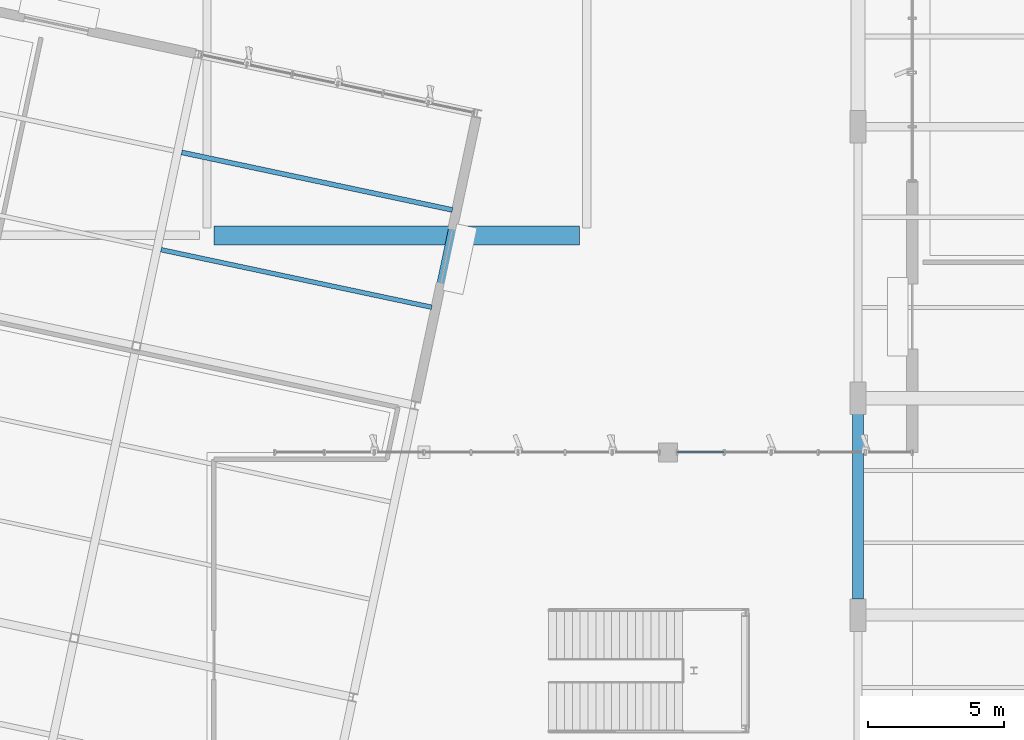
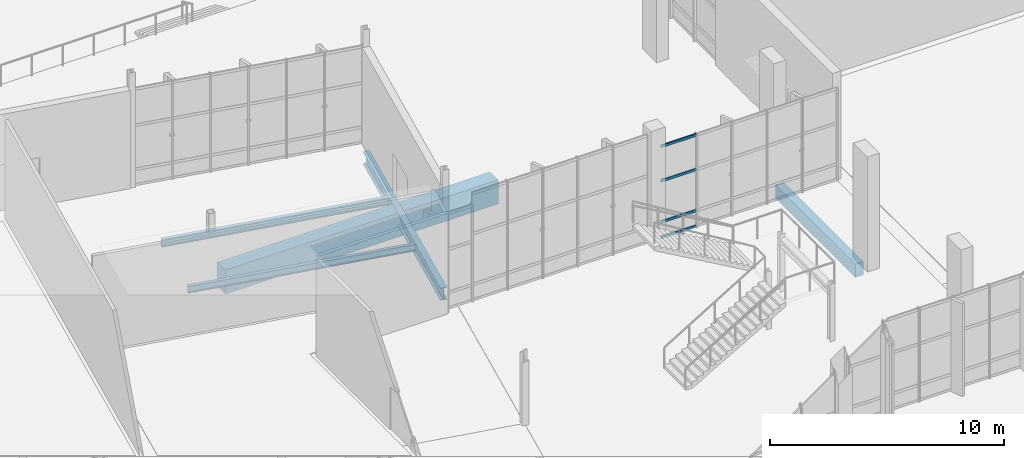
# One storey, part 52 of 163: 5 beams, 4 members, 1 element without a shape of its own.
"""IFC4 building model written with IfcOpenShell, lengths in metres."""

import ifcopenshell
import ifcopenshell.guid

model = None  # the IFC model being written
_history = None  # IfcOwnerHistory: only IFC2X3 demands one
_inside = {}  # id of a spatial element -> (the spatial element, [elements in it])
_under = {}  # id of a project, library or spatial element -> (it, [spatial elements below it])
_declared = {}  # id of a project -> (the project, [libraries it declares])
_typed = {}  # id of a type object -> (the type object, [elements of that type])
_made_of = {}  # id of a material, layer set ... -> (it, [elements and type objects made of it])


def new_model(schema):
    """Start an empty IFC model of exactly this schema.

    Asked for "IFC4X3", IfcOpenShell would pick the latest addendum, in which some entities
    have other attributes; the version numbers below select the first issue.
    IFC2X3 requires an IfcOwnerHistory on every rooted entity: one is made here for all.
    """
    global model, _history
    if schema == "IFC4X3":
        model = ifcopenshell.file(schema_version=(4, 3, 0, 0))
    else:
        model = ifcopenshell.file(schema=schema)
    _inside.clear()
    _under.clear()
    _declared.clear()
    _typed.clear()
    _made_of.clear()
    _history = None
    if model.schema == "IFC2X3":
        org = make("IfcOrganization", Name="unknown")
        user = make(
            "IfcPersonAndOrganization",
            ThePerson=make("IfcPerson", FamilyName="unknown"),
            TheOrganization=org,
        )
        app = make(
            "IfcApplication",
            ApplicationDeveloper=org,
            Version="unknown",
            ApplicationFullName="unknown",
            ApplicationIdentifier="unknown",
        )
        _history = make(
            "IfcOwnerHistory",
            OwningUser=user,
            OwningApplication=app,
            ChangeAction="ADDED",
            CreationDate=0,
        )
    return model


def make(cls, **values):
    """One entity of the class cls with the attributes given. An attribute that is None is left unset."""
    return model.create_entity(
        cls, **{name: value for name, value in values.items() if value is not None}
    )


def rooted(cls, **values):
    """An entity with a GlobalId (a new one), such as an element, a storey or a relation."""
    return make(cls, GlobalId=ifcopenshell.guid.new(), OwnerHistory=_history, **values)


def si_unit(unit_type, name, prefix=None):
    """IfcSIUnit, for example si_unit("LENGTHUNIT", "METRE", prefix="MILLI")."""
    return make("IfcSIUnit", UnitType=unit_type, Prefix=prefix, Name=name)


def assignment(units):
    """IfcUnitAssignment: the units of a project."""
    return None if units is None else make("IfcUnitAssignment", Units=units)


def point(xyz):
    """IfcCartesianPoint."""
    return None if xyz is None else make("IfcCartesianPoint", Coordinates=xyz)


def direction(xyz):
    """IfcDirection."""
    return None if xyz is None else make("IfcDirection", DirectionRatios=xyz)


def frame(location, z_axis=None, x_axis=None):
    """IfcAxis2Placement3D, a coordinate frame: its origin and axes. An axis left out is left unset."""
    return make(
        "IfcAxis2Placement3D",
        Location=point(location),
        Axis=direction(z_axis),
        RefDirection=direction(x_axis),
    )


def frame_2d(location, x_axis=None):
    """IfcAxis2Placement2D, a coordinate frame in the plane: its origin and x axis."""
    return make(
        "IfcAxis2Placement2D", Location=point(location), RefDirection=direction(x_axis)
    )


def origin():
    """The frame at (0, 0, 0) with its axes left unset."""
    return frame((0.0, 0.0, 0.0))


def origin_2d():
    """The frame at (0, 0) in the plane with its x axis left unset."""
    return frame_2d((0.0, 0.0))


def place(relative_to, where):
    """IfcLocalPlacement: puts the frame where relative to a parent placement (None: the world)."""
    return make(
        "IfcLocalPlacement", PlacementRelTo=relative_to, RelativePlacement=where
    )


def context(
    kind, dimensions, precision=None, world=None, true_north=None, identifier=None
):
    """IfcGeometricRepresentationContext, for example the 3D "Model" context."""
    return make(
        "IfcGeometricRepresentationContext",
        ContextIdentifier=identifier,
        ContextType=kind,
        CoordinateSpaceDimension=dimensions,
        Precision=precision,
        WorldCoordinateSystem=world,
        TrueNorth=true_north,
    )


def subcontext(parent, identifier, kind, view, scale=None):
    """IfcGeometricRepresentationSubContext, for example "Body" below "Model"."""
    return make(
        "IfcGeometricRepresentationSubContext",
        ContextIdentifier=identifier,
        ContextType=kind,
        ParentContext=parent,
        TargetScale=scale,
        TargetView=view,
    )


def project(units=None, contexts=None):
    """IfcProject with its units and contexts."""
    return rooted(
        "IfcProject",
        Name="project",
        RepresentationContexts=contexts,
        UnitsInContext=assignment(units),
    )


def spatial(cls, under=None, at=None, **own):
    """A site, building, storey or space (cls), placed at a placement, below another one or the project."""
    s = rooted(cls, ObjectPlacement=at, **own)
    if under is not None:
        _under.setdefault(under.id(), (under, []))[1].append(s)
    return s


def profile(cls, at=None, kind="AREA", **sizes):
    """A parametric profile (cls). Its sizes go by their IFC names, for example OverallWidth=200.0."""
    return make(cls, ProfileType=kind, Position=at, **sizes)


def rectangle(**sizes):
    """IfcRectangleProfileDef."""
    return profile("IfcRectangleProfileDef", **sizes)


def hollow_rectangle(**sizes):
    """IfcRectangleHollowProfileDef."""
    return profile("IfcRectangleHollowProfileDef", **sizes)


def i_section(**sizes):
    """IfcIShapeProfileDef."""
    return profile("IfcIShapeProfileDef", **sizes)


def extrude(swept, where, along, depth):
    """IfcExtrudedAreaSolid: the profile swept, set in the frame where, extruded along a direction by depth."""
    return make(
        "IfcExtrudedAreaSolid",
        SweptArea=swept,
        Position=where,
        ExtrudedDirection=direction(along),
        Depth=depth,
    )


def shape(context_of_items, identifier, shape_type, items):
    """IfcShapeRepresentation: the items that make up one representation, for example the "Body"."""
    return make(
        "IfcShapeRepresentation",
        ContextOfItems=context_of_items,
        RepresentationIdentifier=identifier,
        RepresentationType=shape_type,
        Items=items,
    )


def material(Name=None, Category=None):
    """IfcMaterial."""
    return make("IfcMaterial", Name=Name, Category=Category)


def layer(
    of_material, thickness, ventilated=None, Name=None, Category=None, Priority=None
):
    """IfcMaterialLayer: one layer of a wall or slab, of a material (None: an air gap)."""
    return make(
        "IfcMaterialLayer",
        Material=of_material,
        LayerThickness=thickness,
        IsVentilated=ventilated,
        Name=Name,
        Category=Category,
        Priority=Priority,
    )


def layer_set(layers, Name=None):
    """IfcMaterialLayerSet."""
    return make("IfcMaterialLayerSet", MaterialLayers=layers, LayerSetName=Name)


def material_profile(
    of_material, cross_section, Name=None, Category=None, Priority=None
):
    """IfcMaterialProfile: a cross section and its material."""
    return make(
        "IfcMaterialProfile",
        Name=Name,
        Material=of_material,
        Profile=cross_section,
        Priority=Priority,
        Category=Category,
    )


def profile_set(profiles, Name=None, composite=None):
    """IfcMaterialProfileSet."""
    return make(
        "IfcMaterialProfileSet",
        Name=Name,
        MaterialProfiles=profiles,
        CompositeProfile=composite,
    )


def made_of(thing, what):
    """Note that an element or type object is made of a material, layer set ...; save() writes the relation."""
    if what is not None:
        _made_of.setdefault(what.id(), (what, []))[1].append(thing)
    return thing


def type_object(cls, material=None, **own):
    """A type object (cls), such as IfcWallType, which elements share."""
    return made_of(rooted(cls, **own), material)


def element(
    cls,
    number,
    at=None,
    inside=None,
    cuts=None,
    type_object=None,
    material=None,
    context=None,
    identifier="Body",
    shape_type=None,
    held_by="IfcProductDefinitionShape",
    body=None,
    shapes=None,
    **own,
):
    """One element of the class cls, such as IfcWall. Its Tag is "e" and its number.

    at: its placement. inside: the storey or other place that contains it. cuts: it is an
    opening in that element (IfcRelVoidsElement). A single representation is given by context,
    identifier, shape_type and body (its items); several are given by shapes. held_by: the class
    of the entity that holds the representations. save() writes the other relations.
    """
    e = rooted(cls, Tag="e%d" % number, ObjectPlacement=at, **own)
    if body is not None:
        shapes = [shape(context, identifier, shape_type, body)]
    if shapes is not None:
        e.Representation = make(held_by, Representations=shapes)
    if inside is not None:
        _inside.setdefault(inside.id(), (inside, []))[1].append(e)
    if cuts is not None:
        rooted(
            "IfcRelVoidsElement", RelatingBuildingElement=cuts, RelatedOpeningElement=e
        )
    if type_object is not None:
        _typed.setdefault(type_object.id(), (type_object, []))[1].append(e)
    return made_of(e, material)


def aggregate(whole, parts):
    """IfcRelAggregates: a whole, such as a stair, and the parts it consists of."""
    return rooted("IfcRelAggregates", RelatingObject=whole, RelatedObjects=parts)


def save(model, path):
    """Write the relations noted so far, then the file.

    IfcRelAggregates (storeys below a building ...), IfcRelContainedInSpatialStructure (elements
    in a storey), IfcRelDefinesByType, IfcRelAssociatesMaterial and IfcRelDeclares: one each for
    every whole, place, type object, material and project.
    """
    for whole, parts in _under.values():
        aggregate(whole, parts)
    for where, things in _inside.values():
        rooted(
            "IfcRelContainedInSpatialStructure",
            RelatedElements=things,
            RelatingStructure=where,
        )
    for kind, things in _typed.values():
        rooted("IfcRelDefinesByType", RelatedObjects=things, RelatingType=kind)
    for what, things in _made_of.values():
        rooted("IfcRelAssociatesMaterial", RelatedObjects=things, RelatingMaterial=what)
    for by, libraries in _declared.values():
        rooted("IfcRelDeclares", RelatingContext=by, RelatedDefinitions=libraries)
    model.write(path)


model = new_model("IFC4")

# Units and contexts
model_context = context("Model", 3, precision=1e-05, world=origin(), true_north=direction((0.0, 1.0)))
body_context = subcontext(model_context, "Body", "Model", "MODEL_VIEW")
ifc_project = project(units=[si_unit("LENGTHUNIT", "METRE"), si_unit("AREAUNIT", "SQUARE_METRE"), si_unit("VOLUMEUNIT", "CUBIC_METRE"), si_unit("PLANEANGLEUNIT", "RADIAN"), si_unit("MASSUNIT", "GRAM", prefix="KILO")], contexts=[model_context])

# Site, building, storey
site_placement = place(None, origin())
site = spatial("IfcSite", under=ifc_project, at=site_placement, CompositionType="ELEMENT")
building_placement = place(site_placement, origin())
building = spatial("IfcBuilding", under=site, at=building_placement, Name="Khorjan Park Terminus", CompositionType="ELEMENT")
storey_placement = place(building_placement, origin())
storey = spatial("IfcBuildingStorey", under=building, at=storey_placement, Name="L00", CompositionType="ELEMENT", Elevation=0.0)

# Beams
ifc_material_1 = material(Name="Steel S355", Category="steel")
ifc_material_profile_1 = material_profile(ifc_material_1, i_section(OverallWidth=0.3, OverallDepth=0.64, WebThickness=0.0135, FlangeThickness=0.026, FilletRadius=0.027, at=origin_2d()), Name="HEA 650")
ifc_profile_set_1 = profile_set([ifc_material_profile_1], Name="Steel S355")
beam_type_1 = type_object("IfcBeamType", Name="BM-HEA650", PredefinedType="BEAM", material=ifc_profile_set_1)
beam_1_placement = place(storey_placement, frame((31.7029, 67.8715, -0.66), z_axis=(0.207909789374, 0.978148004896, 0.0), x_axis=(-0.978148004896, 0.207909789374, 0.0)))
element("IfcBeam", 1, at=beam_1_placement, inside=storey, type_object=beam_type_1, Name="Primary skew-grid floor girder SB-A65 (L00)", PredefinedType="BEAM", context=body_context, shape_type="SweptSolid", body=[
    extrude(i_section(OverallWidth=0.3, OverallDepth=0.64, WebThickness=0.0135, FlangeThickness=0.026, FilletRadius=0.027, at=origin_2d()), origin(), (0.0, 0.0, 1.0), 10.7099),
])
ifc_material_2 = material(Name="Concrete C40/50", Category="concrete")
ifc_material_profile_2 = material_profile(ifc_material_2, rectangle(XDim=0.4, YDim=0.7, at=origin_2d()), Name="RC 400x700")
ifc_profile_set_2 = profile_set([ifc_material_profile_2], Name="Concrete C40/50")
beam_type_2 = type_object("IfcBeamType", Name="BM-RC400x700", PredefinedType="BEAM", material=ifc_profile_set_2)
beam_2_placement = place(storey_placement, frame((48.0, 60.595, -0.69), z_axis=(0.0, 1.0, 0.0), x_axis=(-1.0, 0.0, 0.0)))
element("IfcBeam", 2, at=beam_2_placement, inside=storey, type_object=beam_type_2, Name="Primary floor girder GB-07 (L00)", PredefinedType="BEAM", context=body_context, shape_type="SweptSolid", body=[
    extrude(rectangle(XDim=0.4, YDim=0.7, at=origin_2d()), origin(), (0.0, 0.0, 1.0), 6.81),
])
ifc_material_profile_3 = material_profile(ifc_material_2, rectangle(XDim=0.7, YDim=1.25, at=origin_2d()), Name="RC 700x1250")
ifc_profile_set_3 = profile_set([ifc_material_profile_3], Name="Concrete C40/50")
beam_type_3 = type_object("IfcBeamType", Name="BM-RC700x1250", PredefinedType="BEAM", material=ifc_profile_set_3)
beam_3_placement = place(storey_placement, frame((24.27, 74.0, -0.965), z_axis=(1.0, 0.0, 0.0), x_axis=(0.0, 1.0, 0.0)))
element("IfcBeam", 3, at=beam_3_placement, inside=storey, type_object=beam_type_3, Name="Primary floor girder GB-125 (L00)", PredefinedType="BEAM", context=body_context, shape_type="SweptSolid", body=[
    extrude(rectangle(XDim=0.7, YDim=1.25, at=origin_2d()), origin(), (0.0, 0.0, 1.0), 13.46),
])
ifc_material_profile_4 = material_profile(ifc_material_1, i_section(OverallWidth=0.17, OverallDepth=0.36, WebThickness=0.008, FlangeThickness=0.0127, FilletRadius=0.018, at=origin_2d()), Name="IPE 360")
ifc_profile_set_4 = profile_set([ifc_material_profile_4], Name="Steel S355")
beam_type_4 = type_object("IfcBeamType", Name="JS-IPE360", PredefinedType="JOIST", material=ifc_profile_set_4)
beam_4_placement = place(storey_placement, frame((22.3113, 73.4681, -0.52), z_axis=(0.978147562282, -0.207911871719, 0.0), x_axis=(0.207911871719, 0.978147562282, 0.0)))
element("IfcBeam", 4, at=beam_4_placement, inside=storey, type_object=beam_type_4, Name="Secondary composite floor joist SJ-36 (L00)", PredefinedType="JOIST", context=body_context, shape_type="SweptSolid", body=[
    extrude(i_section(OverallWidth=0.17, OverallDepth=0.36, WebThickness=0.008, FlangeThickness=0.0127, FilletRadius=0.018, at=origin_2d()), origin(), (0.0, 0.0, 1.0), 10.2),
])
ifc_material_profile_5 = material_profile(ifc_material_1, i_section(OverallWidth=0.18, OverallDepth=0.4, WebThickness=0.0086, FlangeThickness=0.0135, FilletRadius=0.021, at=origin_2d()), Name="IPE 400")
ifc_profile_set_5 = profile_set([ifc_material_profile_5], Name="Steel S355")
beam_type_5 = type_object("IfcBeamType", Name="JS-IPE400", PredefinedType="JOIST", material=ifc_profile_set_5)
beam_5_placement = place(storey_placement, frame((23.0736, 77.0546, -0.54), z_axis=(0.978147562282, -0.207911871719, 0.0), x_axis=(0.207911871719, 0.978147562282, 0.0)))
element("IfcBeam", 5, at=beam_5_placement, inside=storey, type_object=beam_type_5, Name="Secondary composite floor joist SJ-40 (L00)", PredefinedType="JOIST", context=body_context, shape_type="SweptSolid", body=[
    extrude(i_section(OverallWidth=0.18, OverallDepth=0.4, WebThickness=0.0086, FlangeThickness=0.0135, FilletRadius=0.021, at=origin_2d()), origin(), (0.0, 0.0, 1.0), 10.2),
])

# Curtain wall, members
ifc_material_3 = material(Name="Anodized Bronze Aluminium", Category="aluminium")
ifc_layer = layer(ifc_material_3, 0.22)
ifc_layer_set = layer_set([ifc_layer], Name="Anodized Bronze Aluminium")
curtain_wall_type = type_object("IfcCurtainWallType", Name="CW-PAV-C", PredefinedType="NOTDEFINED", material=ifc_layer_set)
curtain_wall_placement = place(storey_placement, origin())
curtain_wall = element("IfcCurtainWall", 6, at=curtain_wall_placement, inside=storey, type_object=curtain_wall_type, Name="Unitized curtain wall CW-C (CW-V4L-N-L00-3)", PredefinedType="NOTDEFINED")
ifc_material_profile_6 = material_profile(ifc_material_3, hollow_rectangle(XDim=0.065, YDim=0.14, WallThickness=0.004, InnerFilletRadius=0.004, OuterFilletRadius=0.008, at=origin_2d()), Name="ALT 65x140x4")
ifc_profile_set_6 = profile_set([ifc_material_profile_6], Name="Anodized Bronze Aluminium")
member_type = type_object("IfcMemberType", Name="TR-ALT-140", PredefinedType="USERDEFINED", material=ifc_profile_set_6)
member_1_placement = place(storey_placement, frame((43.064, 66.0, 0.04), z_axis=(-1.0, 0.0, 0.0), x_axis=(0.0, -1.0, 0.0)))
member_1 = element("IfcMember", 7, at=member_1_placement, type_object=member_type, Name="Curtain-wall transom TR-14 (CW-V4L-N-L00-3-4-1)", ObjectType="TRANSOM", PredefinedType="USERDEFINED", context=body_context, shape_type="SweptSolid", body=[
    extrude(hollow_rectangle(XDim=0.065, YDim=0.14, WallThickness=0.004, InnerFilletRadius=0.004, OuterFilletRadius=0.008, at=origin_2d()), origin(), (0.0, 0.0, 1.0), 1.734),
])
member_2_placement = place(storey_placement, frame((43.064, 66.0, 0.85), z_axis=(-1.0, 0.0, 0.0), x_axis=(0.0, -1.0, 0.0)))
member_2 = element("IfcMember", 8, at=member_2_placement, type_object=member_type, Name="Curtain-wall transom TR-14 (CW-V4L-N-L00-3-4-2)", ObjectType="TRANSOM", PredefinedType="USERDEFINED", context=body_context, shape_type="SweptSolid", body=[
    extrude(hollow_rectangle(XDim=0.065, YDim=0.14, WallThickness=0.004, InnerFilletRadius=0.004, OuterFilletRadius=0.008, at=origin_2d()), origin(), (0.0, 0.0, 1.0), 1.734),
])
member_3_placement = place(storey_placement, frame((43.064, 66.0, 2.9915), z_axis=(-1.0, 0.0, 0.0), x_axis=(0.0, -1.0, 0.0)))
member_3 = element("IfcMember", 9, at=member_3_placement, type_object=member_type, Name="Curtain-wall transom TR-14 (CW-V4L-N-L00-3-4-3)", ObjectType="TRANSOM", PredefinedType="USERDEFINED", context=body_context, shape_type="SweptSolid", body=[
    extrude(hollow_rectangle(XDim=0.065, YDim=0.14, WallThickness=0.004, InnerFilletRadius=0.004, OuterFilletRadius=0.008, at=origin_2d()), origin(), (0.0, 0.0, 1.0), 1.734),
])
member_4_placement = place(storey_placement, frame((43.064, 66.0, 4.785), z_axis=(-1.0, 0.0, 0.0), x_axis=(0.0, -1.0, 0.0)))
member_4 = element("IfcMember", 10, at=member_4_placement, type_object=member_type, Name="Curtain-wall transom TR-14 (CW-V4L-N-L00-3-4-4)", ObjectType="TRANSOM", PredefinedType="USERDEFINED", context=body_context, shape_type="SweptSolid", body=[
    extrude(hollow_rectangle(XDim=0.065, YDim=0.14, WallThickness=0.004, InnerFilletRadius=0.004, OuterFilletRadius=0.008, at=origin_2d()), origin(), (0.0, 0.0, 1.0), 1.734),
])
aggregate(curtain_wall, [member_1, member_2, member_3, member_4])

save(model, "model.ifc")
